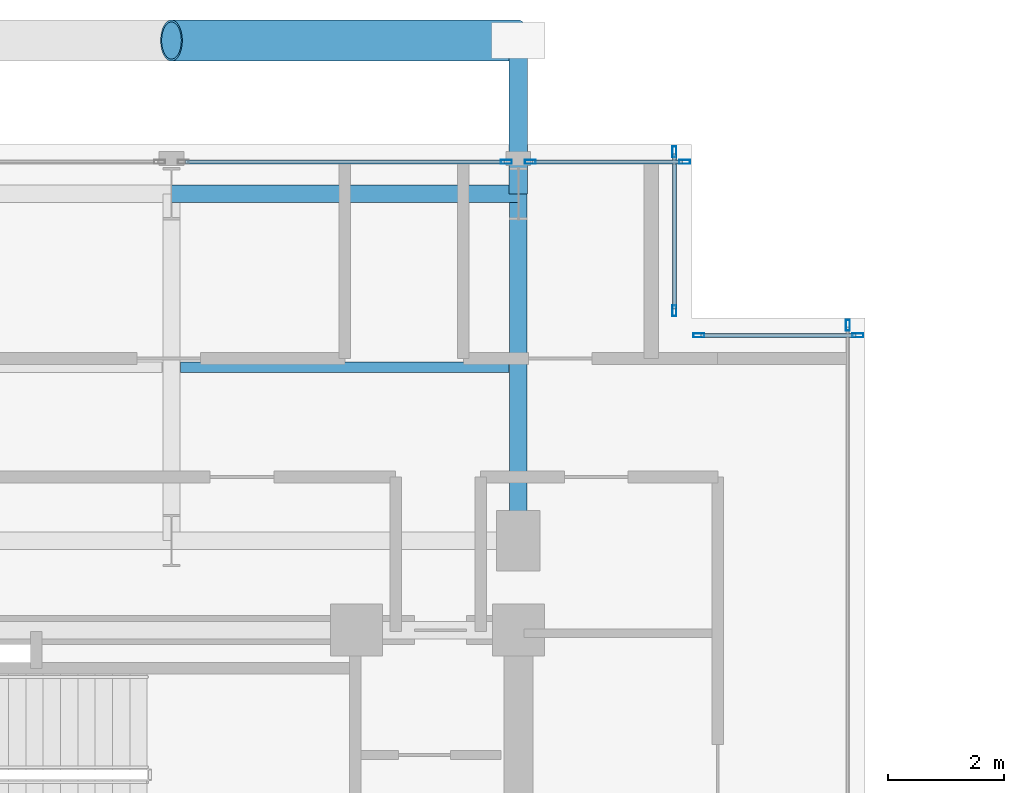
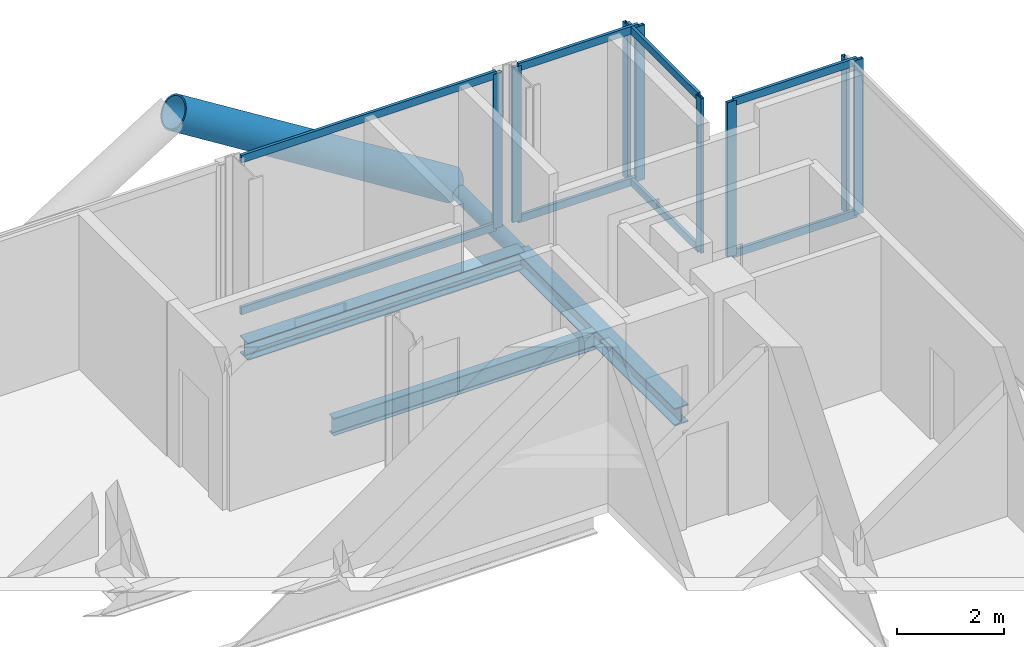
# One storey, part 14 of 21: 18 members, 3 beams, 5 elements without a shape of their own.
"""IFC4 building model written with IfcOpenShell, lengths in metres."""

from ifc_helpers import new_model, si_unit, direction, frame, origin, origin_2d, place, context, subcontext, project, spatial, hollow_rectangle, hollow_circle, i_section, extrude, material, layer, layer_set, material_profile, profile_set, type_object, element, aggregate, save


model = new_model("IFC4")

# Units and contexts
model_context = context("Model", 3, precision=1e-05, world=origin(), true_north=direction((0.0, 1.0)))
body_context = subcontext(model_context, "Body", "Model", "MODEL_VIEW")
ifc_project = project(units=[si_unit("LENGTHUNIT", "METRE"), si_unit("AREAUNIT", "SQUARE_METRE"), si_unit("VOLUMEUNIT", "CUBIC_METRE"), si_unit("PLANEANGLEUNIT", "RADIAN"), si_unit("MASSUNIT", "GRAM", prefix="KILO"), si_unit("THERMODYNAMICTEMPERATUREUNIT", "KELVIN"), si_unit("POWERUNIT", "WATT")], contexts=[model_context])

# Site, building, storey
site_placement = place(None, origin())
site = spatial("IfcSite", under=ifc_project, at=site_placement, CompositionType="ELEMENT")
building_placement = place(site_placement, origin())
building = spatial("IfcBuilding", under=site, at=building_placement, Name="Svarakhadi Broadcast Tower", CompositionType="ELEMENT")
storey_placement = place(building_placement, frame((0.0, 0.0, 187.949951171875)))
storey = spatial("IfcBuildingStorey", under=building, at=storey_placement, Name="L46", CompositionType="ELEMENT", Elevation=187.949951171875)

# Beam
ifc_material_1 = material(Name="Steel S355J2 (IS 2062 E350C)", Category="steel")
ifc_material_profile_1 = material_profile(ifc_material_1, i_section(OverallWidth=0.179931640625, OverallDepth=0.39990234375, WebThickness=0.008544921875, FlangeThickness=0.013427734375, FilletRadius=0.02099609375, at=origin_2d()), Name="NPB 400x180x66")
ifc_profile_set_1 = profile_set([ifc_material_profile_1], Name="Steel S355J2 (IS 2062 E350C)")
beam_type_1 = type_object("IfcBeamType", Name="Beam_NPB400", PredefinedType="BEAM", material=ifc_profile_set_1)
beam_placement = place(storey_placement, frame((12.159912109375, 32.14990234375, -0.409912109375), z_axis=(1.0, 0.0, 0.0), x_axis=(0.0, 1.0, 0.0)))
element("IfcBeam", 1, at=beam_placement, inside=storey, type_object=beam_type_1, Name="L46 Secondary Composite Beam SB012", PredefinedType="BEAM", context=body_context, shape_type="SweptSolid", body=[
    extrude(i_section(OverallWidth=0.179931640625, OverallDepth=0.39990234375, WebThickness=0.008544921875, FlangeThickness=0.013427734375, FilletRadius=0.02099609375, at=origin_2d()), origin(), (0.0, 0.0, 1.0), 5.68017578125),
])

# Curtain wall, member
ifc_material_2 = material(Name="Anodised Bronze Aluminium AA 6063-T6", Category="aluminium")
ifc_layer = layer(ifc_material_2, 0.18994140625)
ifc_layer_set = layer_set([ifc_layer], Name="Anodised Bronze Aluminium AA 6063-T6")
curtain_wall_type = type_object("IfcCurtainWallType", Name="CW_Sys_04", PredefinedType="NOTDEFINED", material=ifc_layer_set)
curtain_wall_1_placement = place(storey_placement, origin())
curtain_wall_1 = element("IfcCurtainWall", 2, at=curtain_wall_1_placement, inside=storey, type_object=curtain_wall_type, Name="L46 Unitised Facade Curtain Wall 06 Bay 2", PredefinedType="NOTDEFINED")
ifc_material_profile_2 = material_profile(ifc_material_2, hollow_rectangle(XDim=0.070068359375, YDim=0.18994140625, WallThickness=0.005615234375, at=origin_2d()), Name="ALU MULLION 190x70x6")
ifc_profile_set_2 = profile_set([ifc_material_profile_2], Name="Anodised Bronze Aluminium AA 6063-T6")
member_type_1 = type_object("IfcMemberType", Name="CW_Sys_04_Mul", PredefinedType="MULLION", material=ifc_profile_set_2)
member_1_placement = place(storey_placement, frame((17.794921875, 35.699951171875, 0.0), z_axis=(0.0, 0.0, 1.0), x_axis=(0.0, 1.0, 0.0)))
member_1 = element("IfcMember", 3, at=member_1_placement, type_object=member_type_1, Name="CW-04 mullion 2", PredefinedType="MULLION", context=body_context, shape_type="SweptSolid", body=[
    extrude(hollow_rectangle(XDim=0.070068359375, YDim=0.18994140625, WallThickness=0.005615234375, at=origin_2d()), origin(), (0.0, 0.0, 1.0), 3.5400390625),
])

# Curtain wall, members
curtain_wall_2_placement = place(storey_placement, origin())
curtain_wall_2 = element("IfcCurtainWall", 4, at=curtain_wall_2_placement, inside=storey, type_object=curtain_wall_type, Name="L46 Unitised Facade Curtain Wall 06 Bay 3", PredefinedType="NOTDEFINED")
member_2_placement = place(storey_placement, frame((18.205078125, 35.699951171875, 0.0), z_axis=(0.0, 0.0, 1.0), x_axis=(0.0, 1.0, 0.0)))
member_2 = element("IfcMember", 5, at=member_2_placement, type_object=member_type_1, Name="CW-04 mullion 1", PredefinedType="MULLION", context=body_context, shape_type="SweptSolid", body=[
    extrude(hollow_rectangle(XDim=0.070068359375, YDim=0.18994140625, WallThickness=0.005615234375, at=origin_2d()), origin(), (0.0, 0.0, 1.0), 3.5400390625),
])
member_3_placement = place(storey_placement, frame((20.875, 35.699951171875, 0.0), z_axis=(0.0, 0.0, 1.0), x_axis=(0.0, 1.0, 0.0)))
member_3 = element("IfcMember", 6, at=member_3_placement, type_object=member_type_1, Name="CW-04 mullion 2", PredefinedType="MULLION", context=body_context, shape_type="SweptSolid", body=[
    extrude(hollow_rectangle(XDim=0.070068359375, YDim=0.18994140625, WallThickness=0.005615234375, at=origin_2d()), origin(), (0.0, 0.0, 1.0), 3.5400390625),
])

curtain_wall_3_placement = place(storey_placement, origin())
curtain_wall_3 = element("IfcCurtainWall", 7, at=curtain_wall_3_placement, inside=storey, type_object=curtain_wall_type, Name="L46 Unitised Facade Curtain Wall 07", PredefinedType="NOTDEFINED")
member_4_placement = place(storey_placement, frame((20.699951171875, 35.875, 0.0), z_axis=(0.0, 0.0, 1.0), x_axis=(1.0, 0.0, 0.0)))
member_4 = element("IfcMember", 8, at=member_4_placement, type_object=member_type_1, Name="CW-04 mullion 1", PredefinedType="MULLION", context=body_context, shape_type="SweptSolid", body=[
    extrude(hollow_rectangle(XDim=0.070068359375, YDim=0.18994140625, WallThickness=0.005615234375, at=origin_2d()), origin(), (0.0, 0.0, 1.0), 3.5400390625),
])
member_5_placement = place(storey_placement, frame((20.699951171875, 33.125, 0.0), z_axis=(0.0, 0.0, 1.0), x_axis=(1.0, 0.0, 0.0)))
member_5 = element("IfcMember", 9, at=member_5_placement, type_object=member_type_1, Name="CW-04 mullion 2", PredefinedType="MULLION", context=body_context, shape_type="SweptSolid", body=[
    extrude(hollow_rectangle(XDim=0.070068359375, YDim=0.18994140625, WallThickness=0.005615234375, at=origin_2d()), origin(), (0.0, 0.0, 1.0), 3.5400390625),
])

curtain_wall_4_placement = place(storey_placement, origin())
curtain_wall_4 = element("IfcCurtainWall", 10, at=curtain_wall_4_placement, inside=storey, type_object=curtain_wall_type, Name="L46 Unitised Facade Curtain Wall 08", PredefinedType="NOTDEFINED")
member_6_placement = place(storey_placement, frame((21.125, 32.699951171875, 0.0), z_axis=(0.0, 0.0, 1.0), x_axis=(0.0, 1.0, 0.0)))
member_6 = element("IfcMember", 11, at=member_6_placement, type_object=member_type_1, Name="CW-04 mullion 1", PredefinedType="MULLION", context=body_context, shape_type="SweptSolid", body=[
    extrude(hollow_rectangle(XDim=0.070068359375, YDim=0.18994140625, WallThickness=0.005615234375, at=origin_2d()), origin(), (0.0, 0.0, 1.0), 3.5400390625),
])
member_7_placement = place(storey_placement, frame((23.875, 32.699951171875, 0.0), z_axis=(0.0, 0.0, 1.0), x_axis=(0.0, 1.0, 0.0)))
member_7 = element("IfcMember", 12, at=member_7_placement, type_object=member_type_1, Name="CW-04 mullion 2", PredefinedType="MULLION", context=body_context, shape_type="SweptSolid", body=[
    extrude(hollow_rectangle(XDim=0.070068359375, YDim=0.18994140625, WallThickness=0.005615234375, at=origin_2d()), origin(), (0.0, 0.0, 1.0), 3.5400390625),
])

# Curtain wall, member
curtain_wall_5_placement = place(storey_placement, origin())
curtain_wall_5 = element("IfcCurtainWall", 13, at=curtain_wall_5_placement, inside=storey, type_object=curtain_wall_type, Name="L46 Unitised Facade Curtain Wall 09", PredefinedType="NOTDEFINED")
member_8_placement = place(storey_placement, frame((23.699951171875, 32.875, 0.0), z_axis=(0.0, 0.0, 1.0), x_axis=(1.0, 0.0, 0.0)))
member_8 = element("IfcMember", 14, at=member_8_placement, type_object=member_type_1, Name="CW-04 mullion 1", PredefinedType="MULLION", context=body_context, shape_type="SweptSolid", body=[
    extrude(hollow_rectangle(XDim=0.070068359375, YDim=0.18994140625, WallThickness=0.005615234375, at=origin_2d()), origin(), (0.0, 0.0, 1.0), 3.5400390625),
])
aggregate(curtain_wall_5, [member_8])

# Member
ifc_material_profile_3 = material_profile(ifc_material_2, hollow_rectangle(XDim=0.06494140625, YDim=0.175048828125, WallThickness=0.0048828125, at=origin_2d()), Name="ALU TRANSOM 175x65x5")
ifc_profile_set_3 = profile_set([ifc_material_profile_3], Name="Anodised Bronze Aluminium AA 6063-T6")
member_type_2 = type_object("IfcMemberType", Name="CW_Sys_04_Trn", PredefinedType="USERDEFINED", material=ifc_profile_set_3)
member_9_placement = place(storey_placement, frame((12.239990234375, 35.699951171875, 0.032470703125), z_axis=(1.0, 0.0, 0.0), x_axis=(0.0, 1.0, 0.0)))
member_9 = element("IfcMember", 15, at=member_9_placement, type_object=member_type_2, Name="CW-04 transom 1.1", ObjectType="TRANSOM", PredefinedType="USERDEFINED", context=body_context, shape_type="SweptSolid", body=[
    extrude(hollow_rectangle(XDim=0.06494140625, YDim=0.175048828125, WallThickness=0.0048828125, at=origin_2d()), origin(), (0.0, 0.0, 1.0), 5.52001953125),
])

member_10_placement = place(storey_placement, frame((12.239990234375, 35.699951171875, 3.507568359375), z_axis=(1.0, 0.0, 0.0), x_axis=(0.0, 1.0, 0.0)))
member_10 = element("IfcMember", 16, at=member_10_placement, type_object=member_type_2, Name="CW-04 transom 1.2", ObjectType="TRANSOM", PredefinedType="USERDEFINED", context=body_context, shape_type="SweptSolid", body=[
    extrude(hollow_rectangle(XDim=0.06494140625, YDim=0.175048828125, WallThickness=0.0048828125, at=origin_2d()), origin(), (0.0, 0.0, 1.0), 5.52001953125),
])

aggregate(curtain_wall_1, [member_1, member_9, member_10])

member_11_placement = place(storey_placement, frame((18.239990234375, 35.699951171875, 0.032470703125), z_axis=(1.0, 0.0, 0.0), x_axis=(0.0, 1.0, 0.0)))
member_11 = element("IfcMember", 17, at=member_11_placement, type_object=member_type_2, Name="CW-04 transom 1.1", ObjectType="TRANSOM", PredefinedType="USERDEFINED", context=body_context, shape_type="SweptSolid", body=[
    extrude(hollow_rectangle(XDim=0.06494140625, YDim=0.175048828125, WallThickness=0.0048828125, at=origin_2d()), origin(), (0.0, 0.0, 1.0), 2.60009765625),
])

member_12_placement = place(storey_placement, frame((18.239990234375, 35.699951171875, 3.507568359375), z_axis=(1.0, 0.0, 0.0), x_axis=(0.0, 1.0, 0.0)))
member_12 = element("IfcMember", 18, at=member_12_placement, type_object=member_type_2, Name="CW-04 transom 1.2", ObjectType="TRANSOM", PredefinedType="USERDEFINED", context=body_context, shape_type="SweptSolid", body=[
    extrude(hollow_rectangle(XDim=0.06494140625, YDim=0.175048828125, WallThickness=0.0048828125, at=origin_2d()), origin(), (0.0, 0.0, 1.0), 2.60009765625),
])

aggregate(curtain_wall_2, [member_2, member_3, member_11, member_12])

member_13_placement = place(storey_placement, frame((20.699951171875, 35.840087890625, 0.032470703125), z_axis=(0.0, -1.0, 0.0), x_axis=(1.0, 0.0, 0.0)))
member_13 = element("IfcMember", 19, at=member_13_placement, type_object=member_type_2, Name="CW-04 transom 1.1", ObjectType="TRANSOM", PredefinedType="USERDEFINED", context=body_context, shape_type="SweptSolid", body=[
    extrude(hollow_rectangle(XDim=0.06494140625, YDim=0.175048828125, WallThickness=0.0048828125, at=origin_2d()), origin(), (0.0, 0.0, 1.0), 2.68017578125),
])

member_14_placement = place(storey_placement, frame((20.699951171875, 35.840087890625, 3.507568359375), z_axis=(0.0, -1.0, 0.0), x_axis=(1.0, 0.0, 0.0)))
member_14 = element("IfcMember", 20, at=member_14_placement, type_object=member_type_2, Name="CW-04 transom 1.2", ObjectType="TRANSOM", PredefinedType="USERDEFINED", context=body_context, shape_type="SweptSolid", body=[
    extrude(hollow_rectangle(XDim=0.06494140625, YDim=0.175048828125, WallThickness=0.0048828125, at=origin_2d()), origin(), (0.0, 0.0, 1.0), 2.68017578125),
])

aggregate(curtain_wall_3, [member_4, member_5, member_13, member_14])

member_15_placement = place(storey_placement, frame((21.159912109375, 32.699951171875, 0.032470703125), z_axis=(1.0, 0.0, 0.0), x_axis=(0.0, 1.0, 0.0)))
member_15 = element("IfcMember", 21, at=member_15_placement, type_object=member_type_2, Name="CW-04 transom 1.1", ObjectType="TRANSOM", PredefinedType="USERDEFINED", context=body_context, shape_type="SweptSolid", body=[
    extrude(hollow_rectangle(XDim=0.06494140625, YDim=0.175048828125, WallThickness=0.0048828125, at=origin_2d()), origin(), (0.0, 0.0, 1.0), 2.68017578125),
])

member_16_placement = place(storey_placement, frame((21.159912109375, 32.699951171875, 3.507568359375), z_axis=(1.0, 0.0, 0.0), x_axis=(0.0, 1.0, 0.0)))
member_16 = element("IfcMember", 22, at=member_16_placement, type_object=member_type_2, Name="CW-04 transom 1.2", ObjectType="TRANSOM", PredefinedType="USERDEFINED", context=body_context, shape_type="SweptSolid", body=[
    extrude(hollow_rectangle(XDim=0.06494140625, YDim=0.175048828125, WallThickness=0.0048828125, at=origin_2d()), origin(), (0.0, 0.0, 1.0), 2.68017578125),
])

aggregate(curtain_wall_4, [member_6, member_7, member_15, member_16])

# Members
ifc_material_3 = material(Name="Steel S460ML (IS 2062 E450BR)", Category="steel")
ifc_material_profile_4 = material_profile(ifc_material_3, hollow_circle(Radius=0.35546875, WallThickness=0.034912109375, at=origin_2d()), Name="CHS 711x35")
ifc_profile_set_4 = profile_set([ifc_material_profile_4], Name="Steel S460ML (IS 2062 E450BR)")
member_type_3 = type_object("IfcMemberType", Name="Exo_Brace_CHS711", PredefinedType="BRACE", material=ifc_profile_set_4)
member_17_placement = place(storey_placement, frame((18.0, 37.800048828125, -0.371826171875), z_axis=(-0.847998304005, 0.0, 0.529998940003), x_axis=(0.0, -1.0, 0.0)))
element("IfcMember", 23, at=member_17_placement, inside=storey, type_object=member_type_3, Name="L46 Exposed Bronze Exoskeleton Diagonal N07", PredefinedType="BRACE", context=body_context, shape_type="SweptSolid", body=[
    extrude(hollow_circle(Radius=0.35546875, WallThickness=0.034912109375, at=origin_2d()), origin(), (0.0, 0.0, 1.0), 7.075439453125),
])
ifc_material_profile_5 = material_profile(ifc_material_3, hollow_circle(Radius=0.161865234375, WallThickness=0.01611328125, at=origin_2d()), Name="CHS 323.9x16")
ifc_profile_set_5 = profile_set([ifc_material_profile_5], Name="Steel S460ML (IS 2062 E450BR)")
member_type_4 = type_object("IfcMemberType", Name="Exo_Radial_Strut_Z2", PredefinedType="STRUT", material=ifc_profile_set_5)
member_18_placement = place(storey_placement, frame((18.0, 37.800048828125, -0.371826171875), z_axis=(0.0, -1.0, 0.0), x_axis=(1.0, 0.0, 0.0)))
element("IfcMember", 24, at=member_18_placement, inside=storey, type_object=member_type_4, Name="L46 Exoskeleton Radial Tie Strut N10", PredefinedType="STRUT", context=body_context, shape_type="SweptSolid", body=[
    extrude(hollow_circle(Radius=0.161865234375, WallThickness=0.01611328125, at=origin_2d()), origin(), (0.0, 0.0, 1.0), 2.650146484375),
])

# Beams
ifc_material_profile_6 = material_profile(ifc_material_1, i_section(OverallWidth=0.300048828125, OverallDepth=0.39990234375, WebThickness=0.013427734375, FlangeThickness=0.02392578125, FilletRadius=0.027099609375, at=origin_2d()), Name="WPB 400x300x155")
ifc_profile_set_6 = profile_set([ifc_material_profile_6], Name="Steel S355J2 (IS 2062 E350C)")
beam_type_2 = type_object("IfcBeamType", Name="Girder_WPB400", PredefinedType="USERDEFINED", material=ifc_profile_set_6)
for number, where, z_axis, x_axis, name in (
    (25, (12.0, 35.14990234375, -0.409912109375), (1.0, 0.0, 0.0), (0.0, 1.0, 0.0), "L46 Primary E-W Girder G032"),
    (26, (18.0, 29.14990234375, -0.409912109375), (0.0, 1.0, 0.0), (-1.0, 0.0, 0.0), "L46 Primary N-S Girder G050"),
):
    element("IfcBeam", number, at=place(storey_placement, frame(where, z_axis=z_axis, x_axis=x_axis)), inside=storey, type_object=beam_type_2, Name=name, ObjectType="GIRDER", PredefinedType="USERDEFINED", context=body_context, shape_type="SweptSolid", body=[
        extrude(i_section(OverallWidth=0.300048828125, OverallDepth=0.39990234375, WebThickness=0.013427734375, FlangeThickness=0.02392578125, FilletRadius=0.027099609375, at=origin_2d()), origin(), (0.0, 0.0, 1.0), 6.0),
    ])

save(model, "model.ifc")
